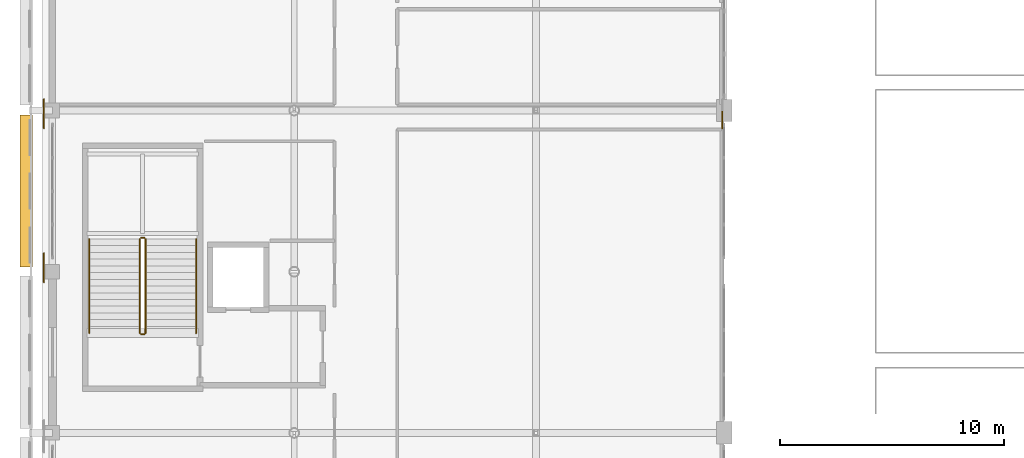
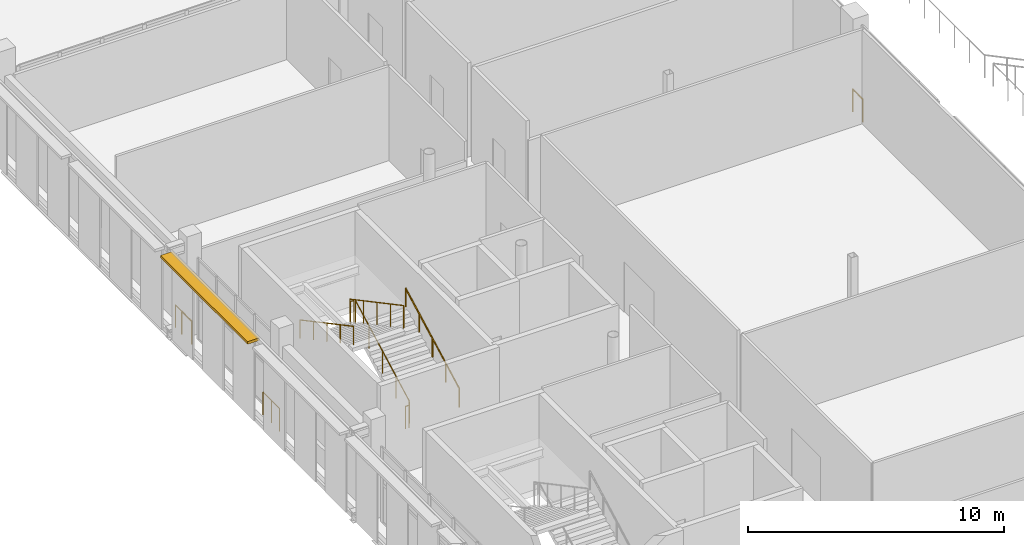
# One storey, part 90 of 104: 10 railings, 1 shading device.
"""IFC4 building model written with IfcOpenShell, lengths in metres."""

from ifc_helpers import new_model, si_unit, direction, frame, origin, origin_2d, place, context, subcontext, project, spatial, rectangle, circle, extrude, material, type_object, element, save


model = new_model("IFC4")

# Units and contexts
model_context = context("Model", 3, precision=1e-05, world=origin(), true_north=direction((0.0, 1.0)))
body_context = subcontext(model_context, "Body", "Model", "MODEL_VIEW")
ifc_project = project(units=[si_unit("LENGTHUNIT", "METRE"), si_unit("AREAUNIT", "SQUARE_METRE"), si_unit("VOLUMEUNIT", "CUBIC_METRE"), si_unit("PLANEANGLEUNIT", "RADIAN"), si_unit("MASSUNIT", "GRAM", prefix="KILO")], contexts=[model_context])

# Site, building, storey
site_placement = place(None, origin())
site = spatial("IfcSite", under=ifc_project, at=site_placement, CompositionType="ELEMENT")
building_placement = place(site_placement, origin())
building = spatial("IfcBuilding", under=site, at=building_placement, Name="Koshinbarg Plaza Stadium", CompositionType="ELEMENT")
storey_placement = place(building_placement, frame((0.0, 0.0, 19.800048828125)))
storey = spatial("IfcBuildingStorey", under=building, at=storey_placement, Name="L04", CompositionType="ELEMENT", Elevation=19.800048828125)

# Railings
ifc_material_1 = material(Name="Toughened laminated glass and stainless steel sightline balustrade", Category="steel")
railing_type_1 = type_object("IfcRailingType", Name="RL-BOWL-1100", PredefinedType="BALUSTRADE", material=ifc_material_1)
railing_1_placement = place(storey_placement, frame((24.22509765625, 104.239013671875, 0.0)))
element("IfcRailing", 1, at=railing_1_placement, inside=storey, type_object=railing_type_1, Name="L04 deck edge safety balustrade 0296", PredefinedType="BALUSTRADE", context=body_context, shape_type="SweptSolid", body=[
    extrude(circle(Radius=0.02392578125, at=origin_2d()), frame((0.0, 0.0, 1.076171875), z_axis=(0.0, 1.0, 0.0), x_axis=(-1.0, 0.0, 0.0)), (0.0, 0.0, 1.0), 1.295166015625),
    extrude(circle(Radius=0.02099609375, at=origin_2d()), origin(), (0.0, 0.0, 1.0), 1.052001953125),
    extrude(circle(Radius=0.02099609375, at=origin_2d()), frame((0.0, 0.6474609375, 0.0)), (0.0, 0.0, 1.0), 1.052001953125),
    extrude(circle(Radius=0.02099609375, at=origin_2d()), frame((0.0, 1.295166015625, 0.0)), (0.0, 0.0, 1.0), 1.052001953125),
])
railing_2_placement = place(storey_placement, frame((24.22509765625, 111.10302734375, 0.0)))
element("IfcRailing", 2, at=railing_2_placement, inside=storey, type_object=railing_type_1, Name="L04 deck edge safety balustrade 0297", PredefinedType="BALUSTRADE", context=body_context, shape_type="SweptSolid", body=[
    extrude(circle(Radius=0.02392578125, at=origin_2d()), frame((0.0, 0.0, 1.076171875), z_axis=(0.0, 1.0, 0.0), x_axis=(-1.0, 0.0, 0.0)), (0.0, 0.0, 1.0), 0.796875),
    extrude(circle(Radius=0.02099609375, at=origin_2d()), origin(), (0.0, 0.0, 1.0), 1.052001953125),
    extrude(circle(Radius=0.02099609375, at=origin_2d()), frame((0.0, 0.796875, 0.0)), (0.0, 0.0, 1.0), 1.052001953125),
])
railing_3_placement = place(storey_placement, frame((54.52001953125, 111.89990234375, 0.0)))
element("IfcRailing", 3, at=railing_3_placement, inside=storey, type_object=railing_type_1, Name="L04 deck edge safety balustrade 0298", PredefinedType="BALUSTRADE", context=body_context, shape_type="SweptSolid", body=[
    extrude(circle(Radius=0.02392578125, at=origin_2d()), frame((0.0, 0.0, 1.076171875), z_axis=(0.0, -1.0, 0.0), x_axis=(1.0, 0.0, 0.0)), (0.0, 0.0, 1.0), 0.796875),
    extrude(circle(Radius=0.02099609375, at=origin_2d()), origin(), (0.0, 0.0, 1.0), 1.052001953125),
    extrude(circle(Radius=0.02099609375, at=origin_2d()), frame((0.0, -0.796875, 0.0)), (0.0, 0.0, 1.0), 1.052001953125),
])
railing_4_placement = place(storey_placement, frame((24.22509765625, 111.89990234375, 0.0)))
element("IfcRailing", 4, at=railing_4_placement, inside=storey, type_object=railing_type_1, Name="L04 deck edge safety balustrade 0300", PredefinedType="BALUSTRADE", context=body_context, shape_type="SweptSolid", body=[
    extrude(circle(Radius=0.02392578125, at=origin_2d()), frame((0.0, 0.0, 1.076171875), z_axis=(0.0, 1.0, 0.0), x_axis=(-1.0, 0.0, 0.0)), (0.0, 0.0, 1.0), 0.498291015625),
    extrude(circle(Radius=0.02099609375, at=origin_2d()), origin(), (0.0, 0.0, 1.0), 1.052001953125),
    extrude(circle(Radius=0.02099609375, at=origin_2d()), frame((0.0, 0.498291015625, 0.0)), (0.0, 0.0, 1.0), 1.052001953125),
])
ifc_material_2 = material(Name="Galvanized painted steel guardrail", Category="steel")
railing_type_2 = type_object("IfcRailingType", Name="RL-GUARD-1100", PredefinedType="GUARDRAIL", material=ifc_material_2)
railing_5_placement = place(storey_placement, frame((28.760009765625, 101.9599609375, 0.159912109375)))
element("IfcRailing", 5, at=railing_5_placement, inside=storey, type_object=railing_type_2, Name="L04 C06 stair guard 1", PredefinedType="GUARDRAIL", context=body_context, shape_type="SweptSolid", body=[
    extrude(circle(Radius=0.02392578125, at=origin_2d()), frame((0.0, 0.0, 1.076171875), z_axis=(0.0, 0.882351521365, 0.470590897432), x_axis=(-1.0, 0.0, 0.0)), (0.0, 0.0, 1.0), 4.760009765625),
    extrude(circle(Radius=0.02099609375, at=origin_2d()), origin(), (0.0, 0.0, 1.0), 1.052001953125),
    extrude(circle(Radius=0.02099609375, at=origin_2d()), frame((0.0, 1.050048828125, 0.56005859375)), (0.0, 0.0, 1.0), 1.052001953125),
    extrude(circle(Radius=0.02099609375, at=origin_2d()), frame((0.0, 2.10009765625, 1.1201171875)), (0.0, 0.0, 1.0), 1.052001953125),
    extrude(circle(Radius=0.02099609375, at=origin_2d()), frame((0.0, 3.14990234375, 1.679931640625)), (0.0, 0.0, 1.0), 1.052001953125),
    extrude(circle(Radius=0.02099609375, at=origin_2d()), frame((0.0, 4.199951171875, 2.239990234375)), (0.0, 0.0, 1.0), 1.052001953125),
])
railing_6_placement = place(storey_placement, frame((28.7099609375, 106.2099609375, 2.39990234375)))
element("IfcRailing", 6, at=railing_6_placement, inside=storey, type_object=railing_type_2, Name="L04 C06 stair guard 2", PredefinedType="GUARDRAIL", context=body_context, shape_type="SweptSolid", body=[
    extrude(circle(Radius=0.02392578125, at=origin_2d()), frame((0.0, 0.0, 1.076171875), z_axis=(-1.0, 0.0, 0.0), x_axis=(0.0, -1.0, 0.0)), (0.0, 0.0, 1.0), 0.14990234375),
    extrude(circle(Radius=0.02099609375, at=origin_2d()), origin(), (0.0, 0.0, 1.0), 1.052001953125),
    extrude(circle(Radius=0.02099609375, at=origin_2d()), frame((-0.14990234375, 0.0, 0.0)), (0.0, 0.0, 1.0), 1.052001953125),
])
railing_7_placement = place(storey_placement, frame((28.510009765625, 106.159912109375, 2.56005859375)))
element("IfcRailing", 7, at=railing_7_placement, inside=storey, type_object=railing_type_2, Name="L04 C06 stair guard 3", PredefinedType="GUARDRAIL", context=body_context, shape_type="SweptSolid", body=[
    extrude(circle(Radius=0.02392578125, at=origin_2d()), frame((0.0, 0.0, 1.076171875), z_axis=(0.0, -0.882351521365, 0.470590897432), x_axis=(1.0, 0.0, 0.0)), (0.0, 0.0, 1.0), 4.760009765625),
    extrude(circle(Radius=0.02099609375, at=origin_2d()), origin(), (0.0, 0.0, 1.0), 1.052001953125),
    extrude(circle(Radius=0.02099609375, at=origin_2d()), frame((0.0, -1.050048828125, 0.56005859375)), (0.0, 0.0, 1.0), 1.052001953125),
    extrude(circle(Radius=0.02099609375, at=origin_2d()), frame((0.0, -2.10009765625, 1.1201171875)), (0.0, 0.0, 1.0), 1.052001953125),
    extrude(circle(Radius=0.02099609375, at=origin_2d()), frame((0.0, -3.14990234375, 1.679931640625)), (0.0, 0.0, 1.0), 1.052001953125),
    extrude(circle(Radius=0.02099609375, at=origin_2d()), frame((0.0, -4.199951171875, 2.239990234375)), (0.0, 0.0, 1.0), 1.052001953125),
])
railing_8_placement = place(storey_placement, frame((28.7099609375, 101.909912109375, 0.0)))
element("IfcRailing", 8, at=railing_8_placement, inside=storey, type_object=railing_type_2, Name="L04 C06 stair guard 4", PredefinedType="GUARDRAIL", context=body_context, shape_type="SweptSolid", body=[
    extrude(circle(Radius=0.02392578125, at=origin_2d()), frame((0.0, 0.0, 1.076171875), z_axis=(-1.0, 0.0, 0.0), x_axis=(0.0, -1.0, 0.0)), (0.0, 0.0, 1.0), 0.14990234375),
    extrude(circle(Radius=0.02099609375, at=origin_2d()), origin(), (0.0, 0.0, 1.0), 1.052001953125),
    extrude(circle(Radius=0.02099609375, at=origin_2d()), frame((-0.14990234375, 0.0, 0.0)), (0.0, 0.0, 1.0), 1.052001953125),
])
ifc_material_3 = material(Name="Brushed stainless steel handrail", Category="steel")
railing_type_3 = type_object("IfcRailingType", Name="RL-HAND-900", PredefinedType="HANDRAIL", material=ifc_material_3)
railing_9_placement = place(storey_placement, frame((31.02001953125, 101.9599609375, 0.159912109375)))
element("IfcRailing", 9, at=railing_9_placement, inside=storey, type_object=railing_type_3, Name="L04 C06 stair handrail 1", PredefinedType="HANDRAIL", context=body_context, shape_type="SweptSolid", body=[
    extrude(circle(Radius=0.02392578125, at=origin_2d()), frame((0.0, 0.0, 0.8759765625), z_axis=(0.0, 0.882351521365, 0.470590897432), x_axis=(-1.0, 0.0, 0.0)), (0.0, 0.0, 1.0), 4.760009765625),
    extrude(circle(Radius=0.02099609375, at=origin_2d()), origin(), (0.0, 0.0, 1.0), 0.851806640625),
    extrude(circle(Radius=0.02099609375, at=origin_2d()), frame((0.0, 1.050048828125, 0.56005859375)), (0.0, 0.0, 1.0), 0.851806640625),
    extrude(circle(Radius=0.02099609375, at=origin_2d()), frame((0.0, 2.10009765625, 1.1201171875)), (0.0, 0.0, 1.0), 0.851806640625),
    extrude(circle(Radius=0.02099609375, at=origin_2d()), frame((0.0, 3.14990234375, 1.679931640625)), (0.0, 0.0, 1.0), 0.851806640625),
    extrude(circle(Radius=0.02099609375, at=origin_2d()), frame((0.0, 4.199951171875, 2.239990234375)), (0.0, 0.0, 1.0), 0.851806640625),
])
railing_10_placement = place(storey_placement, frame((26.25, 106.159912109375, 2.56005859375)))
element("IfcRailing", 10, at=railing_10_placement, inside=storey, type_object=railing_type_3, Name="L04 C06 stair handrail 2", PredefinedType="HANDRAIL", context=body_context, shape_type="SweptSolid", body=[
    extrude(circle(Radius=0.02392578125, at=origin_2d()), frame((0.0, 0.0, 0.8759765625), z_axis=(0.0, -0.882351521365, 0.470590897432), x_axis=(1.0, 0.0, 0.0)), (0.0, 0.0, 1.0), 4.760009765625),
    extrude(circle(Radius=0.02099609375, at=origin_2d()), origin(), (0.0, 0.0, 1.0), 0.851806640625),
    extrude(circle(Radius=0.02099609375, at=origin_2d()), frame((0.0, -1.050048828125, 0.56005859375)), (0.0, 0.0, 1.0), 0.851806640625),
    extrude(circle(Radius=0.02099609375, at=origin_2d()), frame((0.0, -2.10009765625, 1.1201171875)), (0.0, 0.0, 1.0), 0.851806640625),
    extrude(circle(Radius=0.02099609375, at=origin_2d()), frame((0.0, -3.14990234375, 1.679931640625)), (0.0, 0.0, 1.0), 0.851806640625),
    extrude(circle(Radius=0.02099609375, at=origin_2d()), frame((0.0, -4.199951171875, 2.239990234375)), (0.0, 0.0, 1.0), 0.851806640625),
])

# Shading device
ifc_material_4 = material(Name="Off-white powder-coated aluminium sun-baffle louvre", Category="aluminium")
shading_device_type = type_object("IfcShadingDeviceType", Name="SHD-LOUVRE-01", PredefinedType="USERDEFINED", material=ifc_material_4)
shading_device_placement = place(storey_placement, frame((23.429931640625, 108.300048828125, 4.119873046875), z_axis=(0.0, 0.0, 1.0), x_axis=(1.0, 0.0, 0.0)))
element("IfcShadingDevice", 11, at=shading_device_placement, inside=storey, type_object=shading_device_type, Name="L04 solar brise-soleil louvre 26", ObjectType="LOUVRE", PredefinedType="USERDEFINED", context=body_context, shape_type="SweptSolid", body=[
    extrude(rectangle(XDim=0.550048828125, YDim=6.800048828125, at=origin_2d()), origin(), (0.0, 0.0, 1.0), 0.1201171875),
])

save(model, "model.ifc")
